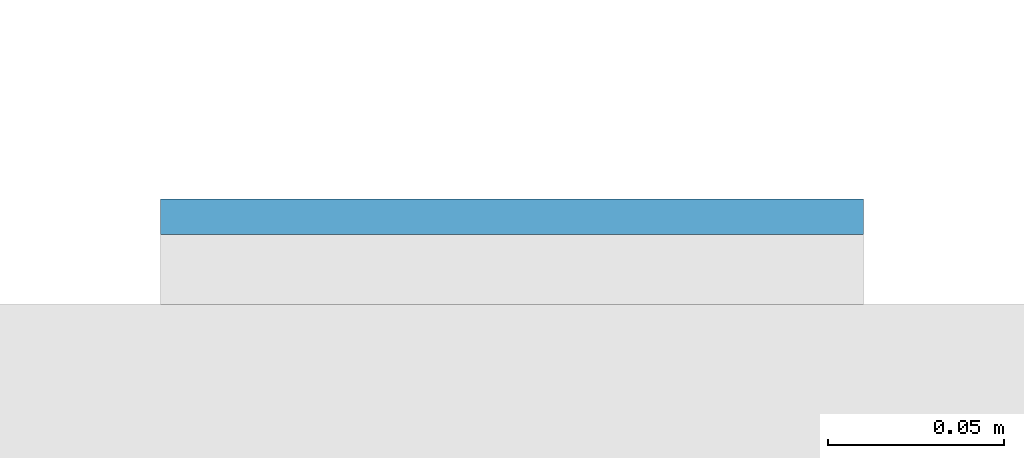
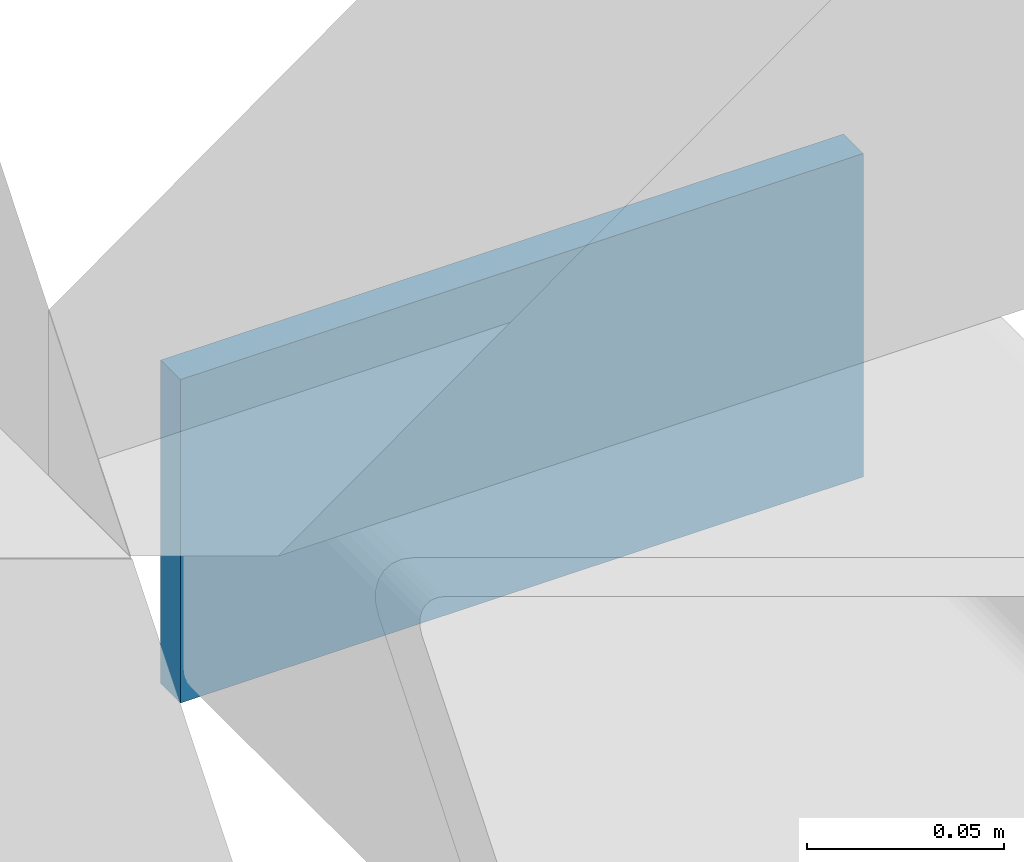
# One storey, part 6 of 12: 1 plate.
"""IFC4 building model written with IfcOpenShell, lengths in metres."""

from ifc_helpers import new_model, si_unit, direction, frame, origin, origin_2d, place, context, subcontext, project, spatial, rectangle, extrude, material, layer, layer_set, type_object, element, save


model = new_model("IFC4")

# Units and contexts
model_context = context("Model", 3, precision=1e-05, world=origin(), true_north=direction((0.0, 1.0)))
body_context = subcontext(model_context, "Body", "Model", "MODEL_VIEW")
ifc_project = project(units=[si_unit("LENGTHUNIT", "METRE"), si_unit("AREAUNIT", "SQUARE_METRE"), si_unit("VOLUMEUNIT", "CUBIC_METRE"), si_unit("PLANEANGLEUNIT", "RADIAN"), si_unit("MASSUNIT", "GRAM", prefix="KILO")], contexts=[model_context])

# Site, building, storey
site_placement = place(None, origin())
site = spatial("IfcSite", under=ifc_project, at=site_placement, CompositionType="ELEMENT")
building_placement = place(site_placement, origin())
building = spatial("IfcBuilding", under=site, at=building_placement, Name="Cleftline Residences", CompositionType="ELEMENT")
storey_placement = place(building_placement, frame((0.0, 0.0, 237.60009765625)))
storey = spatial("IfcBuildingStorey", under=building, at=storey_placement, Name="L62", CompositionType="ELEMENT", Elevation=237.60009765625)

# Plate
ifc_material = material(Name="Steel S355, hot-dip galvanised", Category="steel")
ifc_layer = layer(ifc_material, 0.010009765625)
ifc_layer_set = layer_set([ifc_layer], Name="BAGUETTE CARRIER END PLATE 200X100X10")
plate_type = type_object("IfcPlateType", Name="BAGUETTE CARRIER END PLATE 200X100X10", PredefinedType="USERDEFINED", material=ifc_layer_set)
plate_placement = place(storey_placement, frame((66.85009765625, 44.304931640625, -0.10009765625), z_axis=(0.0, 0.0, 1.0), x_axis=(1.0, 0.0, 0.0)))
element("IfcPlate", 1, at=plate_placement, inside=storey, type_object=plate_type, Name="Baguette carrier end plate", ObjectType="BAGUETTE CARRIER END PLATE", PredefinedType="USERDEFINED", context=body_context, shape_type="SweptSolid", body=[
    extrude(rectangle(XDim=0.199951171875, YDim=0.010009765625, at=origin_2d()), origin(), (0.0, 0.0, 1.0), 0.10009765625),
])

save(model, "model.ifc")
